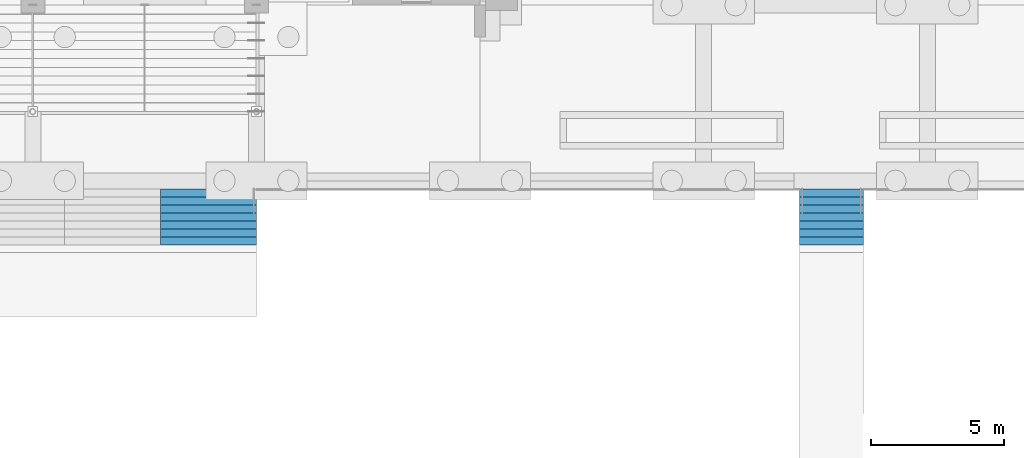
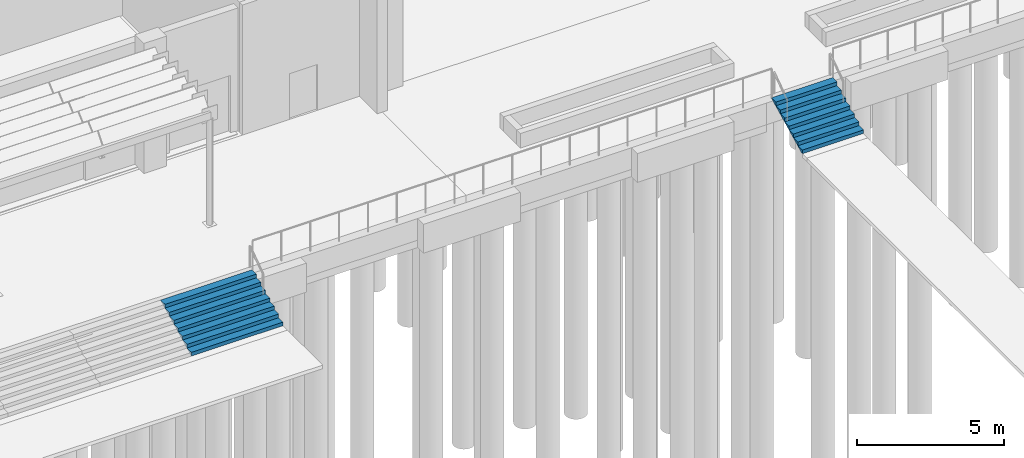
# One storey, part 78 of 129: 2 stair flights, 2 elements without a shape of their own.
"""IFC4 building model written with IfcOpenShell, lengths in metres."""

from ifc_helpers import new_model, si_unit, direction, frame, origin, place, context, subcontext, project, spatial, faceted_brep, material, type_object, element, aggregate, save


model = new_model("IFC4")

# Units and contexts
model_context = context("Model", 3, precision=1e-05, world=origin(), true_north=direction((0.0, 1.0)))
body_context = subcontext(model_context, "Body", "Model", "MODEL_VIEW")
ifc_project = project(units=[si_unit("LENGTHUNIT", "METRE"), si_unit("AREAUNIT", "SQUARE_METRE"), si_unit("VOLUMEUNIT", "CUBIC_METRE"), si_unit("PLANEANGLEUNIT", "RADIAN"), si_unit("MASSUNIT", "GRAM", prefix="KILO")], contexts=[model_context])

# Site, building, storey
site_placement = place(None, origin())
site = spatial("IfcSite", under=ifc_project, at=site_placement, CompositionType="ELEMENT")
building_placement = place(site_placement, origin())
building = spatial("IfcBuilding", under=site, at=building_placement, Name="Kiln Court Media Centre", CompositionType="ELEMENT")
storey_placement = place(building_placement, origin())
storey = spatial("IfcBuildingStorey", under=building, at=storey_placement, Name="L00", CompositionType="ELEMENT", Elevation=0.0)

# Stair, stair flight
ifc_material_1 = material(Name="Concrete C30/37", Category="concrete")
stair_type_1 = type_object("IfcStairType", Name="Concrete C30/37 forecourt steps", PredefinedType="STRAIGHT_RUN_STAIR", material=ifc_material_1)
stair_1_placement = place(storey_placement, origin())
stair_1 = element("IfcStair", 1, at=stair_1_placement, inside=storey, type_object=stair_type_1, Name="Concrete C30/37 forecourt steps", PredefinedType="STRAIGHT_RUN_STAIR")
ifc_material_2 = material(Name="Concrete C30/37", Category="concrete")
stair_flight_type_1 = type_object("IfcStairFlightType", Name="Concrete C30/37 forecourt steps flight", PredefinedType="STRAIGHT", material=ifc_material_2)
stair_flight_1_placement = place(storey_placement, frame((90.60009765625, 16.199951171875, -1.199951171875), z_axis=(0.0, 0.0, 1.0), x_axis=(0.0, 1.0, 0.0)))
stair_flight_1 = element("IfcStairFlight", 2, at=stair_flight_1_placement, type_object=stair_flight_type_1, Name="ST-E1 flight 7", NumberOfRisers=8, NumberOfTreads=7, PredefinedType="STRAIGHT", RiserHeight=0.15, TreadLength=0.3, context=body_context, shape_type="Brep", body=[
    faceted_brep([(0.044677734375, -1.800048828125, 0.0), (2.10009765625, -1.800048828125, 1.027587890625), (2.10009765625, -1.800048828125, 1.050048828125), (1.800048828125, -1.800048828125, 1.050048828125), (1.800048828125, -1.800048828125, 0.89990234375), (1.5, -1.800048828125, 0.89990234375), (1.5, -1.800048828125, 0.75), (1.199951171875, -1.800048828125, 0.75), (1.199951171875, -1.800048828125, 0.60009765625), (0.89990234375, -1.800048828125, 0.60009765625), (0.89990234375, -1.800048828125, 0.449951171875), (0.60009765625, -1.800048828125, 0.449951171875), (0.60009765625, -1.800048828125, 0.300048828125), (0.300048828125, -1.800048828125, 0.300048828125), (0.300048828125, -1.800048828125, 0.14990234375), (0.0, -1.800048828125, 0.14990234375), (0.0, -1.800048828125, 0.0), (0.0, 1.800048828125, 0.0), (0.0, 1.800048828125, 0.14990234375), (0.300048828125, 1.800048828125, 0.14990234375), (0.300048828125, 1.800048828125, 0.300048828125), (0.60009765625, 1.800048828125, 0.300048828125), (0.60009765625, 1.800048828125, 0.449951171875), (0.89990234375, 1.800048828125, 0.449951171875), (0.89990234375, 1.800048828125, 0.60009765625), (1.199951171875, 1.800048828125, 0.60009765625), (1.199951171875, 1.800048828125, 0.75), (1.5, 1.800048828125, 0.75), (1.5, 1.800048828125, 0.89990234375), (1.800048828125, 1.800048828125, 0.89990234375), (1.800048828125, 1.800048828125, 1.050048828125), (2.10009765625, 1.800048828125, 1.050048828125), (2.10009765625, 1.800048828125, 1.027587890625), (0.044677734375, 1.800048828125, 0.0), (2.10009765625, 0.10009765625, 1.027587890625), (0.044677734375, 0.10009765625, 0.0), (2.10009765625, 0.080078125, 1.027587890625), (0.044677734375, 0.080078125, 0.0), (2.10009765625, 0.06005859375, 1.027587890625), (0.044677734375, 0.06005859375, 0.0), (2.10009765625, 0.0400390625, 1.027587890625), (0.044677734375, 0.0400390625, 0.0), (2.10009765625, 0.02001953125, 1.027587890625), (0.044677734375, 0.02001953125, 0.0), (2.10009765625, 0.0, 1.027587890625), (0.044677734375, 0.0, 0.0), (2.10009765625, -0.02001953125, 1.027587890625), (0.044677734375, -0.02001953125, 0.0), (2.10009765625, -0.0400390625, 1.027587890625), (0.044677734375, -0.0400390625, 0.0), (2.10009765625, -0.06005859375, 1.027587890625), (0.044677734375, -0.06005859375, 0.0), (2.10009765625, -0.080078125, 1.027587890625), (0.044677734375, -0.080078125, 0.0), (2.10009765625, -0.10009765625, 1.027587890625), (0.044677734375, -0.10009765625, 0.0), (2.10009765625, 0.10009765625, 1.050048828125), (2.10009765625, 0.080078125, 1.050048828125), (2.10009765625, 0.06005859375, 1.050048828125), (2.10009765625, 0.0400390625, 1.050048828125), (2.10009765625, 0.02001953125, 1.050048828125), (2.10009765625, 0.0, 1.050048828125), (2.10009765625, -0.02001953125, 1.050048828125), (2.10009765625, -0.0400390625, 1.050048828125), (2.10009765625, -0.06005859375, 1.050048828125), (2.10009765625, -0.080078125, 1.050048828125), (2.10009765625, -0.10009765625, 1.050048828125), (1.800048828125, 0.10009765625, 1.050048828125), (1.800048828125, 0.080078125, 1.050048828125), (1.800048828125, 0.06005859375, 1.050048828125), (1.800048828125, 0.0400390625, 1.050048828125), (1.800048828125, 0.02001953125, 1.050048828125), (1.800048828125, 0.0, 1.050048828125), (1.800048828125, -0.02001953125, 1.050048828125), (1.800048828125, -0.0400390625, 1.050048828125), (1.800048828125, -0.06005859375, 1.050048828125), (1.800048828125, -0.080078125, 1.050048828125), (1.800048828125, -0.10009765625, 1.050048828125), (1.800048828125, 0.10009765625, 0.89990234375), (1.800048828125, 0.080078125, 0.89990234375), (1.800048828125, 0.06005859375, 0.89990234375), (1.800048828125, 0.0400390625, 0.89990234375), (1.800048828125, 0.02001953125, 0.89990234375), (1.800048828125, 0.0, 0.89990234375), (1.800048828125, -0.02001953125, 0.89990234375), (1.800048828125, -0.0400390625, 0.89990234375), (1.800048828125, -0.06005859375, 0.89990234375), (1.800048828125, -0.080078125, 0.89990234375), (1.800048828125, -0.10009765625, 0.89990234375), (1.5, 0.10009765625, 0.89990234375), (1.5, 0.080078125, 0.89990234375), (1.5, 0.06005859375, 0.89990234375), (1.5, 0.0400390625, 0.89990234375), (1.5, 0.02001953125, 0.89990234375), (1.5, 0.0, 0.89990234375), (1.5, -0.02001953125, 0.89990234375), (1.5, -0.0400390625, 0.89990234375), (1.5, -0.06005859375, 0.89990234375), (1.5, -0.080078125, 0.89990234375), (1.5, -0.10009765625, 0.89990234375), (1.5, 0.10009765625, 0.75), (1.5, 0.080078125, 0.75), (1.5, 0.06005859375, 0.75), (1.5, 0.0400390625, 0.75), (1.5, 0.02001953125, 0.75), (1.5, 0.0, 0.75), (1.5, -0.02001953125, 0.75), (1.5, -0.0400390625, 0.75), (1.5, -0.06005859375, 0.75), (1.5, -0.080078125, 0.75), (1.5, -0.10009765625, 0.75), (1.199951171875, 0.10009765625, 0.75), (1.199951171875, 0.080078125, 0.75), (1.199951171875, 0.06005859375, 0.75), (1.199951171875, 0.0400390625, 0.75), (1.199951171875, 0.02001953125, 0.75), (1.199951171875, 0.0, 0.75), (1.199951171875, -0.02001953125, 0.75), (1.199951171875, -0.0400390625, 0.75), (1.199951171875, -0.06005859375, 0.75), (1.199951171875, -0.080078125, 0.75), (1.199951171875, -0.10009765625, 0.75), (1.199951171875, 0.10009765625, 0.60009765625), (1.199951171875, 0.080078125, 0.60009765625), (1.199951171875, 0.06005859375, 0.60009765625), (1.199951171875, 0.0400390625, 0.60009765625), (1.199951171875, 0.02001953125, 0.60009765625), (1.199951171875, 0.0, 0.60009765625), (1.199951171875, -0.02001953125, 0.60009765625), (1.199951171875, -0.0400390625, 0.60009765625), (1.199951171875, -0.06005859375, 0.60009765625), (1.199951171875, -0.080078125, 0.60009765625), (1.199951171875, -0.10009765625, 0.60009765625), (0.89990234375, 0.10009765625, 0.60009765625), (0.89990234375, 0.080078125, 0.60009765625), (0.89990234375, 0.06005859375, 0.60009765625), (0.89990234375, 0.0400390625, 0.60009765625), (0.89990234375, 0.02001953125, 0.60009765625), (0.89990234375, 0.0, 0.60009765625), (0.89990234375, -0.02001953125, 0.60009765625), (0.89990234375, -0.0400390625, 0.60009765625), (0.89990234375, -0.06005859375, 0.60009765625), (0.89990234375, -0.080078125, 0.60009765625), (0.89990234375, -0.10009765625, 0.60009765625), (0.89990234375, 0.10009765625, 0.449951171875), (0.89990234375, 0.080078125, 0.449951171875), (0.89990234375, 0.06005859375, 0.449951171875), (0.89990234375, 0.0400390625, 0.449951171875), (0.89990234375, 0.02001953125, 0.449951171875), (0.89990234375, 0.0, 0.449951171875), (0.89990234375, -0.02001953125, 0.449951171875), (0.89990234375, -0.0400390625, 0.449951171875), (0.89990234375, -0.06005859375, 0.449951171875), (0.89990234375, -0.080078125, 0.449951171875), (0.89990234375, -0.10009765625, 0.449951171875), (0.60009765625, 0.10009765625, 0.449951171875), (0.60009765625, 0.080078125, 0.449951171875), (0.60009765625, 0.06005859375, 0.449951171875), (0.60009765625, 0.0400390625, 0.449951171875), (0.60009765625, 0.02001953125, 0.449951171875), (0.60009765625, 0.0, 0.449951171875), (0.60009765625, -0.02001953125, 0.449951171875), (0.60009765625, -0.0400390625, 0.449951171875), (0.60009765625, -0.06005859375, 0.449951171875), (0.60009765625, -0.080078125, 0.449951171875), (0.60009765625, -0.10009765625, 0.449951171875), (0.60009765625, 0.10009765625, 0.300048828125), (0.60009765625, 0.080078125, 0.300048828125), (0.60009765625, 0.06005859375, 0.300048828125), (0.60009765625, 0.0400390625, 0.300048828125), (0.60009765625, 0.02001953125, 0.300048828125), (0.60009765625, 0.0, 0.300048828125), (0.60009765625, -0.02001953125, 0.300048828125), (0.60009765625, -0.0400390625, 0.300048828125), (0.60009765625, -0.06005859375, 0.300048828125), (0.60009765625, -0.080078125, 0.300048828125), (0.60009765625, -0.10009765625, 0.300048828125), (0.300048828125, 0.10009765625, 0.300048828125), (0.300048828125, 0.080078125, 0.300048828125), (0.300048828125, 0.06005859375, 0.300048828125), (0.300048828125, 0.0400390625, 0.300048828125), (0.300048828125, 0.02001953125, 0.300048828125), (0.300048828125, 0.0, 0.300048828125), (0.300048828125, -0.02001953125, 0.300048828125), (0.300048828125, -0.0400390625, 0.300048828125), (0.300048828125, -0.06005859375, 0.300048828125), (0.300048828125, -0.080078125, 0.300048828125), (0.300048828125, -0.10009765625, 0.300048828125), (0.300048828125, 0.10009765625, 0.14990234375), (0.300048828125, 0.080078125, 0.14990234375), (0.300048828125, 0.06005859375, 0.14990234375), (0.300048828125, 0.0400390625, 0.14990234375), (0.300048828125, 0.02001953125, 0.14990234375), (0.300048828125, 0.0, 0.14990234375), (0.300048828125, -0.02001953125, 0.14990234375), (0.300048828125, -0.0400390625, 0.14990234375), (0.300048828125, -0.06005859375, 0.14990234375), (0.300048828125, -0.080078125, 0.14990234375), (0.300048828125, -0.10009765625, 0.14990234375), (0.0, 0.10009765625, 0.14990234375), (0.0, 0.080078125, 0.14990234375), (0.0, 0.06005859375, 0.14990234375), (0.0, 0.0400390625, 0.14990234375), (0.0, 0.02001953125, 0.14990234375), (0.0, 0.0, 0.14990234375), (0.0, -0.02001953125, 0.14990234375), (0.0, -0.0400390625, 0.14990234375), (0.0, -0.06005859375, 0.14990234375), (0.0, -0.080078125, 0.14990234375), (0.0, -0.10009765625, 0.14990234375), (0.0, 0.10009765625, 0.0), (0.0, 0.080078125, 0.0), (0.0, 0.06005859375, 0.0), (0.0, 0.0400390625, 0.0), (0.0, 0.02001953125, 0.0), (0.0, 0.0, 0.0), (0.0, -0.02001953125, 0.0), (0.0, -0.0400390625, 0.0), (0.0, -0.06005859375, 0.0), (0.0, -0.080078125, 0.0), (0.0, -0.10009765625, 0.0)], [[[0, 1, 2, 3, 4, 5, 6, 7, 8, 9, 10, 11, 12, 13, 14, 15, 16]], [[17, 18, 19, 20, 21, 22, 23, 24, 25, 26, 27, 28, 29, 30, 31, 32, 33]], [[33, 32, 34, 35]], [[35, 34, 36, 37]], [[37, 36, 38, 39]], [[39, 38, 40, 41]], [[41, 40, 42, 43]], [[43, 42, 44, 45]], [[45, 44, 46, 47]], [[47, 46, 48, 49]], [[49, 48, 50, 51]], [[51, 50, 52, 53]], [[53, 52, 54, 55]], [[55, 54, 1, 0]], [[32, 31, 56, 34]], [[34, 56, 57, 36]], [[36, 57, 58, 38]], [[38, 58, 59, 40]], [[40, 59, 60, 42]], [[42, 60, 61, 44]], [[44, 61, 62, 46]], [[46, 62, 63, 48]], [[48, 63, 64, 50]], [[50, 64, 65, 52]], [[52, 65, 66, 54]], [[54, 66, 2, 1]], [[31, 30, 67, 56]], [[56, 67, 68, 57]], [[57, 68, 69, 58]], [[58, 69, 70, 59]], [[59, 70, 71, 60]], [[60, 71, 72, 61]], [[61, 72, 73, 62]], [[62, 73, 74, 63]], [[63, 74, 75, 64]], [[64, 75, 76, 65]], [[65, 76, 77, 66]], [[66, 77, 3, 2]], [[30, 29, 78, 67]], [[67, 78, 79, 68]], [[68, 79, 80, 69]], [[69, 80, 81, 70]], [[70, 81, 82, 71]], [[71, 82, 83, 72]], [[72, 83, 84, 73]], [[73, 84, 85, 74]], [[74, 85, 86, 75]], [[75, 86, 87, 76]], [[76, 87, 88, 77]], [[77, 88, 4, 3]], [[29, 28, 89, 78]], [[78, 89, 90, 79]], [[79, 90, 91, 80]], [[80, 91, 92, 81]], [[81, 92, 93, 82]], [[82, 93, 94, 83]], [[83, 94, 95, 84]], [[84, 95, 96, 85]], [[85, 96, 97, 86]], [[86, 97, 98, 87]], [[87, 98, 99, 88]], [[88, 99, 5, 4]], [[28, 27, 100, 89]], [[89, 100, 101, 90]], [[90, 101, 102, 91]], [[91, 102, 103, 92]], [[92, 103, 104, 93]], [[93, 104, 105, 94]], [[94, 105, 106, 95]], [[95, 106, 107, 96]], [[96, 107, 108, 97]], [[97, 108, 109, 98]], [[98, 109, 110, 99]], [[99, 110, 6, 5]], [[27, 26, 111, 100]], [[100, 111, 112, 101]], [[101, 112, 113, 102]], [[102, 113, 114, 103]], [[103, 114, 115, 104]], [[104, 115, 116, 105]], [[105, 116, 117, 106]], [[106, 117, 118, 107]], [[107, 118, 119, 108]], [[108, 119, 120, 109]], [[109, 120, 121, 110]], [[110, 121, 7, 6]], [[26, 25, 122, 111]], [[111, 122, 123, 112]], [[112, 123, 124, 113]], [[113, 124, 125, 114]], [[114, 125, 126, 115]], [[115, 126, 127, 116]], [[116, 127, 128, 117]], [[117, 128, 129, 118]], [[118, 129, 130, 119]], [[119, 130, 131, 120]], [[120, 131, 132, 121]], [[121, 132, 8, 7]], [[25, 24, 133, 122]], [[122, 133, 134, 123]], [[123, 134, 135, 124]], [[124, 135, 136, 125]], [[125, 136, 137, 126]], [[126, 137, 138, 127]], [[127, 138, 139, 128]], [[128, 139, 140, 129]], [[129, 140, 141, 130]], [[130, 141, 142, 131]], [[131, 142, 143, 132]], [[132, 143, 9, 8]], [[24, 23, 144, 133]], [[133, 144, 145, 134]], [[134, 145, 146, 135]], [[135, 146, 147, 136]], [[136, 147, 148, 137]], [[137, 148, 149, 138]], [[138, 149, 150, 139]], [[139, 150, 151, 140]], [[140, 151, 152, 141]], [[141, 152, 153, 142]], [[142, 153, 154, 143]], [[143, 154, 10, 9]], [[23, 22, 155, 144]], [[144, 155, 156, 145]], [[145, 156, 157, 146]], [[146, 157, 158, 147]], [[147, 158, 159, 148]], [[148, 159, 160, 149]], [[149, 160, 161, 150]], [[150, 161, 162, 151]], [[151, 162, 163, 152]], [[152, 163, 164, 153]], [[153, 164, 165, 154]], [[154, 165, 11, 10]], [[22, 21, 166, 155]], [[155, 166, 167, 156]], [[156, 167, 168, 157]], [[157, 168, 169, 158]], [[158, 169, 170, 159]], [[159, 170, 171, 160]], [[160, 171, 172, 161]], [[161, 172, 173, 162]], [[162, 173, 174, 163]], [[163, 174, 175, 164]], [[164, 175, 176, 165]], [[165, 176, 12, 11]], [[21, 20, 177, 166]], [[166, 177, 178, 167]], [[167, 178, 179, 168]], [[168, 179, 180, 169]], [[169, 180, 181, 170]], [[170, 181, 182, 171]], [[171, 182, 183, 172]], [[172, 183, 184, 173]], [[173, 184, 185, 174]], [[174, 185, 186, 175]], [[175, 186, 187, 176]], [[176, 187, 13, 12]], [[20, 19, 188, 177]], [[177, 188, 189, 178]], [[178, 189, 190, 179]], [[179, 190, 191, 180]], [[180, 191, 192, 181]], [[181, 192, 193, 182]], [[182, 193, 194, 183]], [[183, 194, 195, 184]], [[184, 195, 196, 185]], [[185, 196, 197, 186]], [[186, 197, 198, 187]], [[187, 198, 14, 13]], [[19, 18, 199, 188]], [[188, 199, 200, 189]], [[189, 200, 201, 190]], [[190, 201, 202, 191]], [[191, 202, 203, 192]], [[192, 203, 204, 193]], [[193, 204, 205, 194]], [[194, 205, 206, 195]], [[195, 206, 207, 196]], [[196, 207, 208, 197]], [[197, 208, 209, 198]], [[198, 209, 15, 14]], [[18, 17, 210, 199]], [[199, 210, 211, 200]], [[200, 211, 212, 201]], [[201, 212, 213, 202]], [[202, 213, 214, 203]], [[203, 214, 215, 204]], [[204, 215, 216, 205]], [[205, 216, 217, 206]], [[206, 217, 218, 207]], [[207, 218, 219, 208]], [[208, 219, 220, 209]], [[209, 220, 16, 15]], [[17, 33, 35, 210]], [[210, 35, 37, 211]], [[211, 37, 39, 212]], [[212, 39, 41, 213]], [[213, 41, 43, 214]], [[214, 43, 45, 215]], [[215, 45, 47, 216]], [[216, 47, 49, 217]], [[217, 49, 51, 218]], [[218, 51, 53, 219]], [[219, 53, 55, 220]], [[220, 55, 0, 16]]]),
])
aggregate(stair_1, [stair_flight_1])

ifc_material_3 = material(Name="Concrete C30/37", Category="concrete")
stair_type_2 = type_object("IfcStairType", Name="Concrete C30/37 rear court steps 2400", PredefinedType="STRAIGHT_RUN_STAIR", material=ifc_material_3)
stair_2_placement = place(storey_placement, origin())
stair_2 = element("IfcStair", 3, at=stair_2_placement, inside=storey, type_object=stair_type_2, Name="Concrete C30/37 rear court steps 2400", PredefinedType="STRAIGHT_RUN_STAIR")
ifc_material_4 = material(Name="Concrete C30/37", Category="concrete")
stair_flight_type_2 = type_object("IfcStairFlightType", Name="Concrete C30/37 rear court steps 2400 flight", PredefinedType="STRAIGHT", material=ifc_material_4)
stair_flight_2_placement = place(storey_placement, frame((114.0, 16.199951171875, -1.199951171875), z_axis=(0.0, 0.0, 1.0), x_axis=(0.0, 1.0, 0.0)))
stair_flight_2 = element("IfcStairFlight", 4, at=stair_flight_2_placement, type_object=stair_flight_type_2, Name="ST-E6 flight 1", NumberOfRisers=8, NumberOfTreads=7, PredefinedType="STRAIGHT", RiserHeight=0.15, TreadLength=0.3, context=body_context, shape_type="Brep", body=[
    faceted_brep([(0.044677734375, -1.199951171875, 0.0), (2.10009765625, -1.199951171875, 1.027587890625), (2.10009765625, -1.199951171875, 1.050048828125), (1.800048828125, -1.199951171875, 1.050048828125), (1.800048828125, -1.199951171875, 0.89990234375), (1.5, -1.199951171875, 0.89990234375), (1.5, -1.199951171875, 0.75), (1.199951171875, -1.199951171875, 0.75), (1.199951171875, -1.199951171875, 0.60009765625), (0.89990234375, -1.199951171875, 0.60009765625), (0.89990234375, -1.199951171875, 0.449951171875), (0.60009765625, -1.199951171875, 0.449951171875), (0.60009765625, -1.199951171875, 0.300048828125), (0.300048828125, -1.199951171875, 0.300048828125), (0.300048828125, -1.199951171875, 0.14990234375), (0.0, -1.199951171875, 0.14990234375), (0.0, -1.199951171875, 0.0), (0.0, 1.199951171875, 0.0), (0.0, 1.199951171875, 0.14990234375), (0.300048828125, 1.199951171875, 0.14990234375), (0.300048828125, 1.199951171875, 0.300048828125), (0.60009765625, 1.199951171875, 0.300048828125), (0.60009765625, 1.199951171875, 0.449951171875), (0.89990234375, 1.199951171875, 0.449951171875), (0.89990234375, 1.199951171875, 0.60009765625), (1.199951171875, 1.199951171875, 0.60009765625), (1.199951171875, 1.199951171875, 0.75), (1.5, 1.199951171875, 0.75), (1.5, 1.199951171875, 0.89990234375), (1.800048828125, 1.199951171875, 0.89990234375), (1.800048828125, 1.199951171875, 1.050048828125), (2.10009765625, 1.199951171875, 1.050048828125), (2.10009765625, 1.199951171875, 1.027587890625), (0.044677734375, 1.199951171875, 0.0), (2.10009765625, 0.10009765625, 1.027587890625), (0.044677734375, 0.10009765625, 0.0), (2.10009765625, 0.080078125, 1.027587890625), (0.044677734375, 0.080078125, 0.0), (2.10009765625, 0.06005859375, 1.027587890625), (0.044677734375, 0.06005859375, 0.0), (2.10009765625, 0.0400390625, 1.027587890625), (0.044677734375, 0.0400390625, 0.0), (2.10009765625, 0.02001953125, 1.027587890625), (0.044677734375, 0.02001953125, 0.0), (2.10009765625, 0.0, 1.027587890625), (0.044677734375, 0.0, 0.0), (2.10009765625, -0.02001953125, 1.027587890625), (0.044677734375, -0.02001953125, 0.0), (2.10009765625, -0.0400390625, 1.027587890625), (0.044677734375, -0.0400390625, 0.0), (2.10009765625, -0.06005859375, 1.027587890625), (0.044677734375, -0.06005859375, 0.0), (2.10009765625, -0.080078125, 1.027587890625), (0.044677734375, -0.080078125, 0.0), (2.10009765625, -0.10009765625, 1.027587890625), (0.044677734375, -0.10009765625, 0.0), (2.10009765625, 0.10009765625, 1.050048828125), (2.10009765625, 0.080078125, 1.050048828125), (2.10009765625, 0.06005859375, 1.050048828125), (2.10009765625, 0.0400390625, 1.050048828125), (2.10009765625, 0.02001953125, 1.050048828125), (2.10009765625, 0.0, 1.050048828125), (2.10009765625, -0.02001953125, 1.050048828125), (2.10009765625, -0.0400390625, 1.050048828125), (2.10009765625, -0.06005859375, 1.050048828125), (2.10009765625, -0.080078125, 1.050048828125), (2.10009765625, -0.10009765625, 1.050048828125), (1.800048828125, 0.10009765625, 1.050048828125), (1.800048828125, 0.080078125, 1.050048828125), (1.800048828125, 0.06005859375, 1.050048828125), (1.800048828125, 0.0400390625, 1.050048828125), (1.800048828125, 0.02001953125, 1.050048828125), (1.800048828125, 0.0, 1.050048828125), (1.800048828125, -0.02001953125, 1.050048828125), (1.800048828125, -0.0400390625, 1.050048828125), (1.800048828125, -0.06005859375, 1.050048828125), (1.800048828125, -0.080078125, 1.050048828125), (1.800048828125, -0.10009765625, 1.050048828125), (1.800048828125, 0.10009765625, 0.89990234375), (1.800048828125, 0.080078125, 0.89990234375), (1.800048828125, 0.06005859375, 0.89990234375), (1.800048828125, 0.0400390625, 0.89990234375), (1.800048828125, 0.02001953125, 0.89990234375), (1.800048828125, 0.0, 0.89990234375), (1.800048828125, -0.02001953125, 0.89990234375), (1.800048828125, -0.0400390625, 0.89990234375), (1.800048828125, -0.06005859375, 0.89990234375), (1.800048828125, -0.080078125, 0.89990234375), (1.800048828125, -0.10009765625, 0.89990234375), (1.5, 0.10009765625, 0.89990234375), (1.5, 0.080078125, 0.89990234375), (1.5, 0.06005859375, 0.89990234375), (1.5, 0.0400390625, 0.89990234375), (1.5, 0.02001953125, 0.89990234375), (1.5, 0.0, 0.89990234375), (1.5, -0.02001953125, 0.89990234375), (1.5, -0.0400390625, 0.89990234375), (1.5, -0.06005859375, 0.89990234375), (1.5, -0.080078125, 0.89990234375), (1.5, -0.10009765625, 0.89990234375), (1.5, 0.10009765625, 0.75), (1.5, 0.080078125, 0.75), (1.5, 0.06005859375, 0.75), (1.5, 0.0400390625, 0.75), (1.5, 0.02001953125, 0.75), (1.5, 0.0, 0.75), (1.5, -0.02001953125, 0.75), (1.5, -0.0400390625, 0.75), (1.5, -0.06005859375, 0.75), (1.5, -0.080078125, 0.75), (1.5, -0.10009765625, 0.75), (1.199951171875, 0.10009765625, 0.75), (1.199951171875, 0.080078125, 0.75), (1.199951171875, 0.06005859375, 0.75), (1.199951171875, 0.0400390625, 0.75), (1.199951171875, 0.02001953125, 0.75), (1.199951171875, 0.0, 0.75), (1.199951171875, -0.02001953125, 0.75), (1.199951171875, -0.0400390625, 0.75), (1.199951171875, -0.06005859375, 0.75), (1.199951171875, -0.080078125, 0.75), (1.199951171875, -0.10009765625, 0.75), (1.199951171875, 0.10009765625, 0.60009765625), (1.199951171875, 0.080078125, 0.60009765625), (1.199951171875, 0.06005859375, 0.60009765625), (1.199951171875, 0.0400390625, 0.60009765625), (1.199951171875, 0.02001953125, 0.60009765625), (1.199951171875, 0.0, 0.60009765625), (1.199951171875, -0.02001953125, 0.60009765625), (1.199951171875, -0.0400390625, 0.60009765625), (1.199951171875, -0.06005859375, 0.60009765625), (1.199951171875, -0.080078125, 0.60009765625), (1.199951171875, -0.10009765625, 0.60009765625), (0.89990234375, 0.10009765625, 0.60009765625), (0.89990234375, 0.080078125, 0.60009765625), (0.89990234375, 0.06005859375, 0.60009765625), (0.89990234375, 0.0400390625, 0.60009765625), (0.89990234375, 0.02001953125, 0.60009765625), (0.89990234375, 0.0, 0.60009765625), (0.89990234375, -0.02001953125, 0.60009765625), (0.89990234375, -0.0400390625, 0.60009765625), (0.89990234375, -0.06005859375, 0.60009765625), (0.89990234375, -0.080078125, 0.60009765625), (0.89990234375, -0.10009765625, 0.60009765625), (0.89990234375, 0.10009765625, 0.449951171875), (0.89990234375, 0.080078125, 0.449951171875), (0.89990234375, 0.06005859375, 0.449951171875), (0.89990234375, 0.0400390625, 0.449951171875), (0.89990234375, 0.02001953125, 0.449951171875), (0.89990234375, 0.0, 0.449951171875), (0.89990234375, -0.02001953125, 0.449951171875), (0.89990234375, -0.0400390625, 0.449951171875), (0.89990234375, -0.06005859375, 0.449951171875), (0.89990234375, -0.080078125, 0.449951171875), (0.89990234375, -0.10009765625, 0.449951171875), (0.60009765625, 0.10009765625, 0.449951171875), (0.60009765625, 0.080078125, 0.449951171875), (0.60009765625, 0.06005859375, 0.449951171875), (0.60009765625, 0.0400390625, 0.449951171875), (0.60009765625, 0.02001953125, 0.449951171875), (0.60009765625, 0.0, 0.449951171875), (0.60009765625, -0.02001953125, 0.449951171875), (0.60009765625, -0.0400390625, 0.449951171875), (0.60009765625, -0.06005859375, 0.449951171875), (0.60009765625, -0.080078125, 0.449951171875), (0.60009765625, -0.10009765625, 0.449951171875), (0.60009765625, 0.10009765625, 0.300048828125), (0.60009765625, 0.080078125, 0.300048828125), (0.60009765625, 0.06005859375, 0.300048828125), (0.60009765625, 0.0400390625, 0.300048828125), (0.60009765625, 0.02001953125, 0.300048828125), (0.60009765625, 0.0, 0.300048828125), (0.60009765625, -0.02001953125, 0.300048828125), (0.60009765625, -0.0400390625, 0.300048828125), (0.60009765625, -0.06005859375, 0.300048828125), (0.60009765625, -0.080078125, 0.300048828125), (0.60009765625, -0.10009765625, 0.300048828125), (0.300048828125, 0.10009765625, 0.300048828125), (0.300048828125, 0.080078125, 0.300048828125), (0.300048828125, 0.06005859375, 0.300048828125), (0.300048828125, 0.0400390625, 0.300048828125), (0.300048828125, 0.02001953125, 0.300048828125), (0.300048828125, 0.0, 0.300048828125), (0.300048828125, -0.02001953125, 0.300048828125), (0.300048828125, -0.0400390625, 0.300048828125), (0.300048828125, -0.06005859375, 0.300048828125), (0.300048828125, -0.080078125, 0.300048828125), (0.300048828125, -0.10009765625, 0.300048828125), (0.300048828125, 0.10009765625, 0.14990234375), (0.300048828125, 0.080078125, 0.14990234375), (0.300048828125, 0.06005859375, 0.14990234375), (0.300048828125, 0.0400390625, 0.14990234375), (0.300048828125, 0.02001953125, 0.14990234375), (0.300048828125, 0.0, 0.14990234375), (0.300048828125, -0.02001953125, 0.14990234375), (0.300048828125, -0.0400390625, 0.14990234375), (0.300048828125, -0.06005859375, 0.14990234375), (0.300048828125, -0.080078125, 0.14990234375), (0.300048828125, -0.10009765625, 0.14990234375), (0.0, 0.10009765625, 0.14990234375), (0.0, 0.080078125, 0.14990234375), (0.0, 0.06005859375, 0.14990234375), (0.0, 0.0400390625, 0.14990234375), (0.0, 0.02001953125, 0.14990234375), (0.0, 0.0, 0.14990234375), (0.0, -0.02001953125, 0.14990234375), (0.0, -0.0400390625, 0.14990234375), (0.0, -0.06005859375, 0.14990234375), (0.0, -0.080078125, 0.14990234375), (0.0, -0.10009765625, 0.14990234375), (0.0, 0.10009765625, 0.0), (0.0, 0.080078125, 0.0), (0.0, 0.06005859375, 0.0), (0.0, 0.0400390625, 0.0), (0.0, 0.02001953125, 0.0), (0.0, 0.0, 0.0), (0.0, -0.02001953125, 0.0), (0.0, -0.0400390625, 0.0), (0.0, -0.06005859375, 0.0), (0.0, -0.080078125, 0.0), (0.0, -0.10009765625, 0.0)], [[[0, 1, 2, 3, 4, 5, 6, 7, 8, 9, 10, 11, 12, 13, 14, 15, 16]], [[17, 18, 19, 20, 21, 22, 23, 24, 25, 26, 27, 28, 29, 30, 31, 32, 33]], [[33, 32, 34, 35]], [[35, 34, 36, 37]], [[37, 36, 38, 39]], [[39, 38, 40, 41]], [[41, 40, 42, 43]], [[43, 42, 44, 45]], [[45, 44, 46, 47]], [[47, 46, 48, 49]], [[49, 48, 50, 51]], [[51, 50, 52, 53]], [[53, 52, 54, 55]], [[55, 54, 1, 0]], [[32, 31, 56, 34]], [[34, 56, 57, 36]], [[36, 57, 58, 38]], [[38, 58, 59, 40]], [[40, 59, 60, 42]], [[42, 60, 61, 44]], [[44, 61, 62, 46]], [[46, 62, 63, 48]], [[48, 63, 64, 50]], [[50, 64, 65, 52]], [[52, 65, 66, 54]], [[54, 66, 2, 1]], [[31, 30, 67, 56]], [[56, 67, 68, 57]], [[57, 68, 69, 58]], [[58, 69, 70, 59]], [[59, 70, 71, 60]], [[60, 71, 72, 61]], [[61, 72, 73, 62]], [[62, 73, 74, 63]], [[63, 74, 75, 64]], [[64, 75, 76, 65]], [[65, 76, 77, 66]], [[66, 77, 3, 2]], [[30, 29, 78, 67]], [[67, 78, 79, 68]], [[68, 79, 80, 69]], [[69, 80, 81, 70]], [[70, 81, 82, 71]], [[71, 82, 83, 72]], [[72, 83, 84, 73]], [[73, 84, 85, 74]], [[74, 85, 86, 75]], [[75, 86, 87, 76]], [[76, 87, 88, 77]], [[77, 88, 4, 3]], [[29, 28, 89, 78]], [[78, 89, 90, 79]], [[79, 90, 91, 80]], [[80, 91, 92, 81]], [[81, 92, 93, 82]], [[82, 93, 94, 83]], [[83, 94, 95, 84]], [[84, 95, 96, 85]], [[85, 96, 97, 86]], [[86, 97, 98, 87]], [[87, 98, 99, 88]], [[88, 99, 5, 4]], [[28, 27, 100, 89]], [[89, 100, 101, 90]], [[90, 101, 102, 91]], [[91, 102, 103, 92]], [[92, 103, 104, 93]], [[93, 104, 105, 94]], [[94, 105, 106, 95]], [[95, 106, 107, 96]], [[96, 107, 108, 97]], [[97, 108, 109, 98]], [[98, 109, 110, 99]], [[99, 110, 6, 5]], [[27, 26, 111, 100]], [[100, 111, 112, 101]], [[101, 112, 113, 102]], [[102, 113, 114, 103]], [[103, 114, 115, 104]], [[104, 115, 116, 105]], [[105, 116, 117, 106]], [[106, 117, 118, 107]], [[107, 118, 119, 108]], [[108, 119, 120, 109]], [[109, 120, 121, 110]], [[110, 121, 7, 6]], [[26, 25, 122, 111]], [[111, 122, 123, 112]], [[112, 123, 124, 113]], [[113, 124, 125, 114]], [[114, 125, 126, 115]], [[115, 126, 127, 116]], [[116, 127, 128, 117]], [[117, 128, 129, 118]], [[118, 129, 130, 119]], [[119, 130, 131, 120]], [[120, 131, 132, 121]], [[121, 132, 8, 7]], [[25, 24, 133, 122]], [[122, 133, 134, 123]], [[123, 134, 135, 124]], [[124, 135, 136, 125]], [[125, 136, 137, 126]], [[126, 137, 138, 127]], [[127, 138, 139, 128]], [[128, 139, 140, 129]], [[129, 140, 141, 130]], [[130, 141, 142, 131]], [[131, 142, 143, 132]], [[132, 143, 9, 8]], [[24, 23, 144, 133]], [[133, 144, 145, 134]], [[134, 145, 146, 135]], [[135, 146, 147, 136]], [[136, 147, 148, 137]], [[137, 148, 149, 138]], [[138, 149, 150, 139]], [[139, 150, 151, 140]], [[140, 151, 152, 141]], [[141, 152, 153, 142]], [[142, 153, 154, 143]], [[143, 154, 10, 9]], [[23, 22, 155, 144]], [[144, 155, 156, 145]], [[145, 156, 157, 146]], [[146, 157, 158, 147]], [[147, 158, 159, 148]], [[148, 159, 160, 149]], [[149, 160, 161, 150]], [[150, 161, 162, 151]], [[151, 162, 163, 152]], [[152, 163, 164, 153]], [[153, 164, 165, 154]], [[154, 165, 11, 10]], [[22, 21, 166, 155]], [[155, 166, 167, 156]], [[156, 167, 168, 157]], [[157, 168, 169, 158]], [[158, 169, 170, 159]], [[159, 170, 171, 160]], [[160, 171, 172, 161]], [[161, 172, 173, 162]], [[162, 173, 174, 163]], [[163, 174, 175, 164]], [[164, 175, 176, 165]], [[165, 176, 12, 11]], [[21, 20, 177, 166]], [[166, 177, 178, 167]], [[167, 178, 179, 168]], [[168, 179, 180, 169]], [[169, 180, 181, 170]], [[170, 181, 182, 171]], [[171, 182, 183, 172]], [[172, 183, 184, 173]], [[173, 184, 185, 174]], [[174, 185, 186, 175]], [[175, 186, 187, 176]], [[176, 187, 13, 12]], [[20, 19, 188, 177]], [[177, 188, 189, 178]], [[178, 189, 190, 179]], [[179, 190, 191, 180]], [[180, 191, 192, 181]], [[181, 192, 193, 182]], [[182, 193, 194, 183]], [[183, 194, 195, 184]], [[184, 195, 196, 185]], [[185, 196, 197, 186]], [[186, 197, 198, 187]], [[187, 198, 14, 13]], [[19, 18, 199, 188]], [[188, 199, 200, 189]], [[189, 200, 201, 190]], [[190, 201, 202, 191]], [[191, 202, 203, 192]], [[192, 203, 204, 193]], [[193, 204, 205, 194]], [[194, 205, 206, 195]], [[195, 206, 207, 196]], [[196, 207, 208, 197]], [[197, 208, 209, 198]], [[198, 209, 15, 14]], [[18, 17, 210, 199]], [[199, 210, 211, 200]], [[200, 211, 212, 201]], [[201, 212, 213, 202]], [[202, 213, 214, 203]], [[203, 214, 215, 204]], [[204, 215, 216, 205]], [[205, 216, 217, 206]], [[206, 217, 218, 207]], [[207, 218, 219, 208]], [[208, 219, 220, 209]], [[209, 220, 16, 15]], [[17, 33, 35, 210]], [[210, 35, 37, 211]], [[211, 37, 39, 212]], [[212, 39, 41, 213]], [[213, 41, 43, 214]], [[214, 43, 45, 215]], [[215, 45, 47, 216]], [[216, 47, 49, 217]], [[217, 49, 51, 218]], [[218, 51, 53, 219]], [[219, 53, 55, 220]], [[220, 55, 0, 16]]]),
])
aggregate(stair_2, [stair_flight_2])

save(model, "model.ifc")
